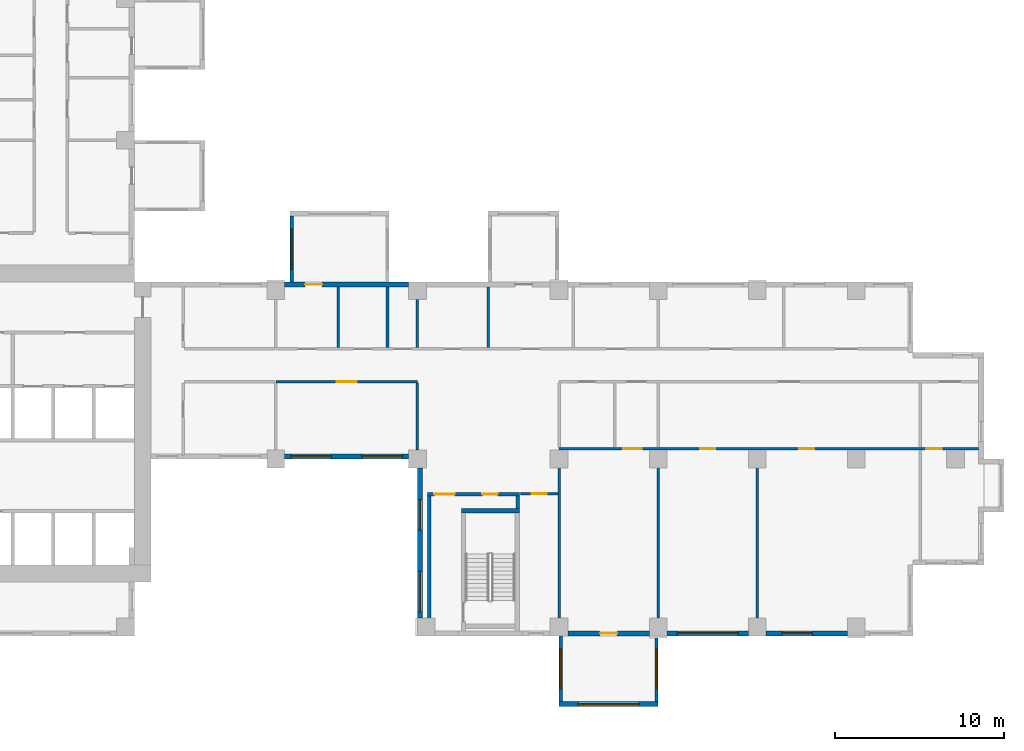
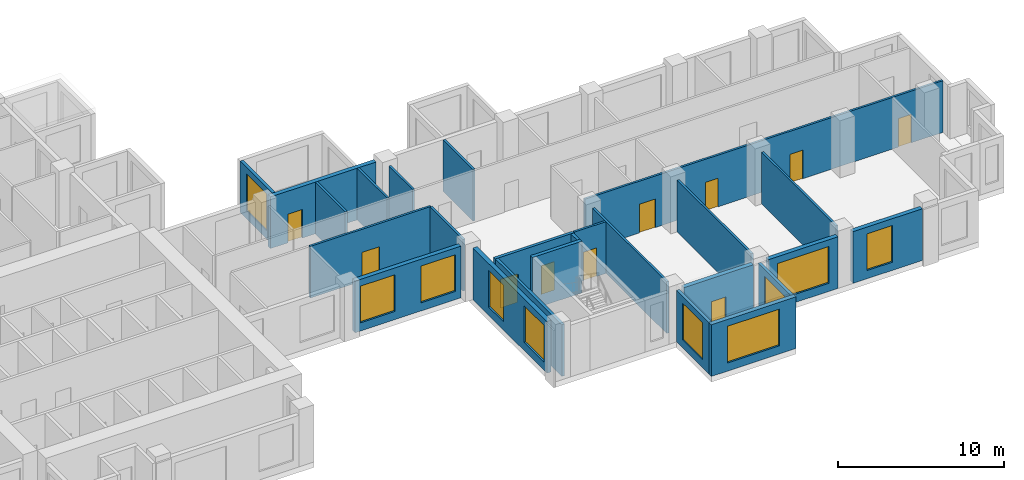
# One storey, part 4 of 14: 25 walls, 10 doors, 10 windows, 20 openings.
"""IFC4 building model written with IfcOpenShell, lengths in metres."""

from ifc_helpers import new_model, si_unit, direction, frame, frame_2d, origin, place, context, subcontext, project, spatial, rectangle, extrude, source, transform, mapped, material, layer, layer_set, type_object, element, fill, save


model = new_model("IFC4")

# Units and contexts
model_context = context("Model", 3, precision=1e-05, world=origin(), true_north=direction((0.0, 1.0)))
body_context = subcontext(model_context, "Body", "Model", "MODEL_VIEW")
ifc_project = project(units=[si_unit("LENGTHUNIT", "METRE"), si_unit("AREAUNIT", "SQUARE_METRE"), si_unit("VOLUMEUNIT", "CUBIC_METRE"), si_unit("PLANEANGLEUNIT", "RADIAN"), si_unit("MASSUNIT", "GRAM", prefix="KILO")], contexts=[model_context])

# Site, building, storey
site_placement = place(None, origin())
site = spatial("IfcSite", under=ifc_project, at=site_placement, CompositionType="ELEMENT")
building_placement = place(site_placement, origin())
building = spatial("IfcBuilding", under=site, at=building_placement, Name="Aurelian Terraces", CompositionType="ELEMENT")
storey_placement = place(building_placement, frame((0.0, 0.0, 149.7)))
storey = spatial("IfcBuildingStorey", under=building, at=storey_placement, Name="L33", CompositionType="ELEMENT", Elevation=149.7)

# Wall, opening, window
ifc_material_1 = material(Name="Concrete fc' 40 MPa", Category="concrete")
ifc_layer_1 = layer(ifc_material_1, 0.2)
ifc_layer_set_1 = layer_set([ifc_layer_1], Name="BOX BEARING WALL 200")
wall_type_1 = type_object("IfcWallType", Name="BOX BEARING WALL 200", PredefinedType="SOLIDWALL", material=ifc_layer_set_1)
shared_shape_1 = source(origin(), body_context, "Body", "SweptSolid", [
    extrude(rectangle(XDim=3.9, YDim=0.2, at=frame_2d((1.95, 0.0))), origin(), (0.0, 0.0, 1.0), 3.79),
])
wall_1_placement = place(storey_placement, frame((30.34, 21.0, 0.0), z_axis=(0.0, 0.0, 1.0), x_axis=(0.0, 1.0, 0.0)))
wall_1 = element("IfcWall", 1, at=wall_1_placement, inside=storey, type_object=wall_type_1, Name="Box return L33 J47.2", PredefinedType="SOLIDWALL", context=body_context, shape_type="MappedRepresentation", body=[
    mapped(shared_shape_1, transform((0.0, 0.0, 0.0), scale=1.0)),
])
shared_shape_2 = source(origin(), body_context, "Body", "SweptSolid", [
    extrude(rectangle(XDim=2.4, YDim=2.7, at=frame_2d((1.2, 1.35))), frame((0.0, 0.11, 0.0), z_axis=(0.0, -1.0, 0.0), x_axis=(1.0, 0.0, 0.0)), (0.0, 0.0, 1.0), 0.22),
])
opening_1_placement = place(wall_1_placement, frame((0.75, 0.0, 0.6)))
opening_1 = element("IfcOpeningElement", 2, at=opening_1_placement, cuts=wall_1, Name="Opening W2427", PredefinedType="OPENING", context=body_context, shape_type="MappedRepresentation", body=[
    mapped(shared_shape_2, transform((0.0, 0.0, 0.0), scale=1.0)),
])
ifc_material_2 = material(Name="Clear glazing", Category="glass")
window_type_1 = type_object("IfcWindowType", Name="W-2400x2700", PartitioningType="SINGLE_PANEL", PredefinedType="WINDOW", material=ifc_material_2)
shared_shape_3 = source(origin(), body_context, "Body", "SweptSolid", [
    extrude(rectangle(XDim=2.4, YDim=2.7, at=frame_2d((1.2, 1.35))), frame((0.0, 0.03, 0.0), z_axis=(0.0, -1.0, 0.0), x_axis=(1.0, 0.0, 0.0)), (0.0, 0.0, 1.0), 0.06),
])
window_1_placement = place(opening_1_placement, origin())
window_1 = element("IfcWindow", 3, at=window_1_placement, inside=storey, type_object=window_type_1, Name="Window L33 J47-S2", OverallHeight=2.7, OverallWidth=2.4, PartitioningType="SINGLE_PANEL", PredefinedType="WINDOW", context=body_context, shape_type="MappedRepresentation", body=[
    mapped(shared_shape_3, transform((0.0, 0.0, 0.0), scale=1.0)),
])
fill(opening_1, window_1)

shared_shape_4 = source(origin(), body_context, "Body", "SweptSolid", [
    extrude(rectangle(XDim=3.9, YDim=0.2, at=frame_2d((1.95, 0.0))), origin(), (0.0, 0.0, 1.0), 3.8),
])
wall_2_placement = place(storey_placement, frame((46.3, 0.0, 0.0), z_axis=(0.0, 0.0, 1.0), x_axis=(0.0, -1.0, 0.0)))
wall_2 = element("IfcWall", 4, at=wall_2_placement, inside=storey, type_object=wall_type_1, Name="Box return L33 J45.1", PredefinedType="SOLIDWALL", context=body_context, shape_type="MappedRepresentation", body=[
    mapped(shared_shape_4, transform((0.0, 0.0, 0.0), scale=1.0)),
])
opening_2_placement = place(wall_2_placement, frame((0.75, 0.0, 0.6)))
opening_2 = element("IfcOpeningElement", 5, at=opening_2_placement, cuts=wall_2, Name="Opening W2427", PredefinedType="OPENING", context=body_context, shape_type="MappedRepresentation", body=[
    mapped(shared_shape_2, transform((0.0, 0.0, 0.0), scale=1.0)),
])
window_2_placement = place(opening_2_placement, origin())
window_2 = element("IfcWindow", 6, at=window_2_placement, inside=storey, type_object=window_type_1, Name="Window L33 J45-S1", OverallHeight=2.7, OverallWidth=2.4, PartitioningType="SINGLE_PANEL", PredefinedType="WINDOW", context=body_context, shape_type="MappedRepresentation", body=[
    mapped(shared_shape_3, transform((0.0, 0.0, 0.0), scale=1.0)),
])
fill(opening_2, window_2)

wall_3_placement = place(storey_placement, frame((51.98, 0.0, 0.0), z_axis=(0.0, 0.0, 1.0), x_axis=(0.0, -1.0, 0.0)))
wall_3 = element("IfcWall", 7, at=wall_3_placement, inside=storey, type_object=wall_type_1, Name="Box return L33 J45.2", PredefinedType="SOLIDWALL", context=body_context, shape_type="MappedRepresentation", body=[
    mapped(shared_shape_4, transform((0.0, 0.0, 0.0), scale=1.0)),
])
opening_3_placement = place(wall_3_placement, frame((0.75, 0.0, 0.6)))
opening_3 = element("IfcOpeningElement", 8, at=opening_3_placement, cuts=wall_3, Name="Opening W2427", PredefinedType="OPENING", context=body_context, shape_type="MappedRepresentation", body=[
    mapped(shared_shape_2, transform((0.0, 0.0, 0.0), scale=1.0)),
])
window_3_placement = place(opening_3_placement, origin())
window_3 = element("IfcWindow", 9, at=window_3_placement, inside=storey, type_object=window_type_1, Name="Window L33 J45-S2", OverallHeight=2.7, OverallWidth=2.4, PartitioningType="SINGLE_PANEL", PredefinedType="WINDOW", context=body_context, shape_type="MappedRepresentation", body=[
    mapped(shared_shape_3, transform((0.0, 0.0, 0.0), scale=1.0)),
])
fill(opening_3, window_3)

ifc_layer_2 = layer(ifc_material_1, 0.3)
ifc_layer_set_2 = layer_set([ifc_layer_2], Name="BOX BEARING WALL 300")
wall_type_2 = type_object("IfcWallType", Name="BOX BEARING WALL 300", PredefinedType="SOLIDWALL", material=ifc_layer_set_2)
shared_shape_5 = source(origin(), body_context, "Body", "SweptSolid", [
    extrude(rectangle(XDim=5.88, YDim=0.3, at=frame_2d((2.94, 0.0))), origin(), (0.0, 0.0, 1.0), 3.8),
])
wall_4_placement = place(storey_placement, frame((46.2, -4.05, 0.0), z_axis=(0.0, 0.0, 1.0), x_axis=(1.0, 0.0, 0.0)))
wall_4 = element("IfcWall", 10, at=wall_4_placement, inside=storey, type_object=wall_type_2, Name="Box wall L33 J45", PredefinedType="SOLIDWALL", context=body_context, shape_type="MappedRepresentation", body=[
    mapped(shared_shape_5, transform((0.0, 0.0, 0.0), scale=1.0)),
])
shared_shape_6 = source(origin(), body_context, "Body", "SweptSolid", [
    extrude(rectangle(XDim=3.6, YDim=2.7, at=frame_2d((1.8, 1.35))), frame((0.0, 0.16, 0.0), z_axis=(0.0, -1.0, 0.0), x_axis=(1.0, 0.0, 0.0)), (0.0, 0.0, 1.0), 0.32),
])
opening_4_placement = place(wall_4_placement, frame((1.14, 0.0, 0.6)))
opening_4 = element("IfcOpeningElement", 11, at=opening_4_placement, cuts=wall_4, Name="Opening W3627", PredefinedType="OPENING", context=body_context, shape_type="MappedRepresentation", body=[
    mapped(shared_shape_6, transform((0.0, 0.0, 0.0), scale=1.0)),
])
window_type_2 = type_object("IfcWindowType", Name="W-3600x2700", PartitioningType="SINGLE_PANEL", PredefinedType="WINDOW", material=ifc_material_2)
shared_shape_7 = source(origin(), body_context, "Body", "SweptSolid", [
    extrude(rectangle(XDim=3.6, YDim=2.7, at=frame_2d((1.8, 1.35))), frame((0.0, 0.03, 0.0), z_axis=(0.0, -1.0, 0.0), x_axis=(1.0, 0.0, 0.0)), (0.0, 0.0, 1.0), 0.06),
])
window_4_placement = place(opening_4_placement, origin())
window_4 = element("IfcWindow", 12, at=window_4_placement, inside=storey, type_object=window_type_2, Name="Window L33 J45-F1", OverallHeight=2.7, OverallWidth=3.6, PartitioningType="SINGLE_PANEL", PredefinedType="WINDOW", context=body_context, shape_type="MappedRepresentation", body=[
    mapped(shared_shape_7, transform((0.0, 0.0, 0.0), scale=1.0)),
])
fill(opening_4, window_4)

# Wall, openings, windows
ifc_material_3 = material(Name="Terracotta rainscreen cladding", Category="masonry")
ifc_layer_3 = layer(ifc_material_3, 0.3)
ifc_layer_set_3 = layer_set([ifc_layer_3], Name="EW-300")
wall_type_3 = type_object("IfcWallType", Name="EW-300", PredefinedType="STANDARD", material=ifc_layer_set_3)
shared_shape_8 = source(origin(), body_context, "Body", "SweptSolid", [
    extrude(rectangle(XDim=7.35, YDim=0.3, at=frame_2d((3.675, 0.0))), origin(), (0.0, 0.0, 1.0), 3.8),
])
wall_5_placement = place(storey_placement, frame((29.925, 10.65, 0.0), z_axis=(0.0, 0.0, 1.0), x_axis=(1.0, 0.0, 0.0)))
wall_5 = element("IfcWall", 13, at=wall_5_placement, inside=storey, type_object=wall_type_3, Name="External wall L33 F03.7", PredefinedType="STANDARD", context=body_context, shape_type="MappedRepresentation", body=[
    mapped(shared_shape_8, transform((0.0, 0.0, 0.0), scale=1.0)),
])
shared_shape_9 = source(origin(), body_context, "Body", "SweptSolid", [
    extrude(rectangle(XDim=2.4, YDim=2.7, at=frame_2d((1.2, 1.35))), frame((0.0, 0.16, 0.0), z_axis=(0.0, -1.0, 0.0), x_axis=(1.0, 0.0, 0.0)), (0.0, 0.0, 1.0), 0.32),
])
opening_5_placement = place(wall_5_placement, frame((0.375, 0.0, 0.6)))
opening_5 = element("IfcOpeningElement", 14, at=opening_5_placement, cuts=wall_5, Name="Opening W2427", PredefinedType="OPENING", context=body_context, shape_type="MappedRepresentation", body=[
    mapped(shared_shape_9, transform((0.0, 0.0, 0.0), scale=1.0)),
])
opening_6_placement = place(wall_5_placement, frame((4.575, 0.0, 0.6)))
opening_6 = element("IfcOpeningElement", 15, at=opening_6_placement, cuts=wall_5, Name="Opening W2427", PredefinedType="OPENING", context=body_context, shape_type="MappedRepresentation", body=[
    mapped(shared_shape_9, transform((0.0, 0.0, 0.0), scale=1.0)),
])
window_5_placement = place(opening_5_placement, origin())
window_5 = element("IfcWindow", 16, at=window_5_placement, inside=storey, type_object=window_type_1, Name="Window L33 L33-F03-07-0", OverallHeight=2.7, OverallWidth=2.4, PartitioningType="SINGLE_PANEL", PredefinedType="WINDOW", context=body_context, shape_type="MappedRepresentation", body=[
    mapped(shared_shape_3, transform((0.0, 0.0, 0.0), scale=1.0)),
])
fill(opening_5, window_5)
window_6_placement = place(opening_6_placement, origin())
window_6 = element("IfcWindow", 17, at=window_6_placement, inside=storey, type_object=window_type_1, Name="Window L33 L33-F03-07-1", OverallHeight=2.7, OverallWidth=2.4, PartitioningType="SINGLE_PANEL", PredefinedType="WINDOW", context=body_context, shape_type="MappedRepresentation", body=[
    mapped(shared_shape_3, transform((0.0, 0.0, 0.0), scale=1.0)),
])
fill(opening_6, window_6)

# Wall, opening, door
wall_6_placement = place(storey_placement, frame((37.275, 20.85, 0.0), z_axis=(0.0, 0.0, 1.0), x_axis=(-1.0, 0.0, 0.0)))
wall_6 = element("IfcWall", 18, at=wall_6_placement, inside=storey, type_object=wall_type_3, Name="External wall L33 F11.23", PredefinedType="STANDARD", context=body_context, shape_type="MappedRepresentation", body=[
    mapped(shared_shape_8, transform((0.0, 0.0, 0.0), scale=1.0)),
])
shared_shape_10 = source(origin(), body_context, "Body", "SweptSolid", [
    extrude(rectangle(XDim=1.0, YDim=2.1, at=frame_2d((0.5, 1.05))), frame((0.0, 0.16, 0.0), z_axis=(0.0, -1.0, 0.0), x_axis=(1.0, 0.0, 0.0)), (0.0, 0.0, 1.0), 0.32),
])
opening_7_placement = place(wall_6_placement, frame((5.135, 0.0, 0.0)))
opening_7 = element("IfcOpeningElement", 19, at=opening_7_placement, cuts=wall_6, Name="Opening 833003", PredefinedType="OPENING", context=body_context, shape_type="MappedRepresentation", body=[
    mapped(shared_shape_10, transform((0.0, 0.0, 0.0), scale=1.0)),
])
ifc_material_4 = material(Name="Timber door leaf", Category="wood")
door_type_1 = type_object("IfcDoorType", Name="Room door 1000x2100 left", OperationType="SINGLE_SWING_LEFT", PredefinedType="DOOR", material=ifc_material_4)
shared_shape_11 = source(origin(), body_context, "Body", "SweptSolid", [
    extrude(rectangle(XDim=1.0, YDim=2.1, at=frame_2d((0.5, 1.05))), frame((0.0, 0.025, 0.0), z_axis=(0.0, -1.0, 0.0), x_axis=(1.0, 0.0, 0.0)), (0.0, 0.0, 1.0), 0.05),
])
door_1_placement = place(opening_7_placement, origin())
door_1 = element("IfcDoor", 20, at=door_1_placement, inside=storey, type_object=door_type_1, Name="Door 833003", OperationType="SINGLE_SWING_LEFT", OverallHeight=2.1, OverallWidth=1.0, PredefinedType="DOOR", context=body_context, shape_type="MappedRepresentation", body=[
    mapped(shared_shape_11, transform((0.0, 0.0, 0.0), scale=1.0)),
])
fill(opening_7, door_1)

# Wall, openings, windows
shared_shape_12 = source(origin(), body_context, "Body", "SweptSolid", [
    extrude(rectangle(XDim=8.925, YDim=0.3, at=frame_2d((4.4625, 0.0))), origin(), (0.0, 0.0, 1.0), 3.8),
])
wall_7_placement = place(storey_placement, frame((37.95, 9.975, 0.0), z_axis=(0.0, 0.0, 1.0), x_axis=(0.0, -1.0, 0.0)))
wall_7 = element("IfcWall", 21, at=wall_7_placement, inside=storey, type_object=wall_type_3, Name="External wall L33 F04.8", PredefinedType="STANDARD", context=body_context, shape_type="MappedRepresentation", body=[
    mapped(shared_shape_12, transform((0.0, 0.0, 0.0), scale=1.0)),
])
shared_shape_13 = source(origin(), body_context, "Body", "SweptSolid", [
    extrude(rectangle(XDim=1.8, YDim=2.7, at=frame_2d((0.9, 1.35))), frame((0.0, 0.16, 0.0), z_axis=(0.0, -1.0, 0.0), x_axis=(1.0, 0.0, 0.0)), (0.0, 0.0, 1.0), 0.32),
])
opening_8_placement = place(wall_7_placement, frame((1.8875, 0.0, 0.6)))
opening_8 = element("IfcOpeningElement", 22, at=opening_8_placement, cuts=wall_7, Name="Opening W1827", PredefinedType="OPENING", context=body_context, shape_type="MappedRepresentation", body=[
    mapped(shared_shape_13, transform((0.0, 0.0, 0.0), scale=1.0)),
])
opening_9_placement = place(wall_7_placement, frame((6.15, 0.0, 0.6)))
opening_9 = element("IfcOpeningElement", 23, at=opening_9_placement, cuts=wall_7, Name="Opening W2427", PredefinedType="OPENING", context=body_context, shape_type="MappedRepresentation", body=[
    mapped(shared_shape_9, transform((0.0, 0.0, 0.0), scale=1.0)),
])
window_7_placement = place(opening_9_placement, origin())
window_7 = element("IfcWindow", 24, at=window_7_placement, inside=storey, type_object=window_type_1, Name="Window L33 L33-F04-08-1", OverallHeight=2.7, OverallWidth=2.4, PartitioningType="SINGLE_PANEL", PredefinedType="WINDOW", context=body_context, shape_type="MappedRepresentation", body=[
    mapped(shared_shape_3, transform((0.0, 0.0, 0.0), scale=1.0)),
])
fill(opening_9, window_7)
window_type_3 = type_object("IfcWindowType", Name="W-1800x2700", PartitioningType="SINGLE_PANEL", PredefinedType="WINDOW", material=ifc_material_2)
shared_shape_14 = source(origin(), body_context, "Body", "SweptSolid", [
    extrude(rectangle(XDim=1.8, YDim=2.7, at=frame_2d((0.9, 1.35))), frame((0.0, 0.03, 0.0), z_axis=(0.0, -1.0, 0.0), x_axis=(1.0, 0.0, 0.0)), (0.0, 0.0, 1.0), 0.06),
])
window_8_placement = place(opening_8_placement, origin())
window_8 = element("IfcWindow", 25, at=window_8_placement, inside=storey, type_object=window_type_3, Name="Window L33 L33-F04-08-0", OverallHeight=2.7, OverallWidth=1.8, PartitioningType="SINGLE_PANEL", PredefinedType="WINDOW", context=body_context, shape_type="MappedRepresentation", body=[
    mapped(shared_shape_14, transform((0.0, 0.0, 0.0), scale=1.0)),
])
fill(opening_8, window_8)

# Wall, opening, door
shared_shape_15 = source(origin(), body_context, "Body", "SweptSolid", [
    extrude(rectangle(XDim=4.83, YDim=0.3, at=frame_2d((2.415, 0.0))), origin(), (0.0, 0.0, 1.0), 3.8),
])
wall_8_placement = place(storey_placement, frame((46.725, 0.15, 0.0), z_axis=(0.0, 0.0, 1.0), x_axis=(1.0, 0.0, 0.0)))
wall_8 = element("IfcWall", 26, at=wall_8_placement, inside=storey, type_object=wall_type_3, Name="External wall L33 F05.10", PredefinedType="STANDARD", context=body_context, shape_type="MappedRepresentation", body=[
    mapped(shared_shape_15, transform((0.0, 0.0, 0.0), scale=1.0)),
])
opening_10_placement = place(wall_8_placement, frame((1.915, 0.0, 0.0)))
opening_10 = element("IfcOpeningElement", 27, at=opening_10_placement, cuts=wall_8, Name="Opening 833001", PredefinedType="OPENING", context=body_context, shape_type="MappedRepresentation", body=[
    mapped(shared_shape_10, transform((0.0, 0.0, 0.0), scale=1.0)),
])
door_2_placement = place(opening_10_placement, origin())
door_2 = element("IfcDoor", 28, at=door_2_placement, inside=storey, type_object=door_type_1, Name="Door 833001", OperationType="SINGLE_SWING_LEFT", OverallHeight=2.1, OverallWidth=1.0, PredefinedType="DOOR", context=body_context, shape_type="MappedRepresentation", body=[
    mapped(shared_shape_11, transform((0.0, 0.0, 0.0), scale=1.0)),
])
fill(opening_10, door_2)

# Wall, opening, window
wall_9_placement = place(storey_placement, frame((52.605, 0.15, 0.0), z_axis=(0.0, 0.0, 1.0), x_axis=(1.0, 0.0, 0.0)))
wall_9 = element("IfcWall", 29, at=wall_9_placement, inside=storey, type_object=wall_type_3, Name="External wall L33 F05.11", PredefinedType="STANDARD", context=body_context, shape_type="MappedRepresentation", body=[
    mapped(shared_shape_15, transform((0.0, 0.0, 0.0), scale=1.0)),
])
opening_11_placement = place(wall_9_placement, frame((0.615, 0.0, 0.6)))
opening_11 = element("IfcOpeningElement", 30, at=opening_11_placement, cuts=wall_9, Name="Opening W3627", PredefinedType="OPENING", context=body_context, shape_type="MappedRepresentation", body=[
    mapped(shared_shape_6, transform((0.0, 0.0, 0.0), scale=1.0)),
])
window_9_placement = place(opening_11_placement, origin())
window_9 = element("IfcWindow", 31, at=window_9_placement, inside=storey, type_object=window_type_2, Name="Window L33 L33-F05-11-0", OverallHeight=2.7, OverallWidth=3.6, PartitioningType="SINGLE_PANEL", PredefinedType="WINDOW", context=body_context, shape_type="MappedRepresentation", body=[
    mapped(shared_shape_7, transform((0.0, 0.0, 0.0), scale=1.0)),
])
fill(opening_11, window_9)

wall_10_placement = place(storey_placement, frame((58.485, 0.15, 0.0), z_axis=(0.0, 0.0, 1.0), x_axis=(1.0, 0.0, 0.0)))
wall_10 = element("IfcWall", 32, at=wall_10_placement, inside=storey, type_object=wall_type_3, Name="External wall L33 F05.12", PredefinedType="STANDARD", context=body_context, shape_type="MappedRepresentation", body=[
    mapped(shared_shape_15, transform((0.0, 0.0, 0.0), scale=1.0)),
])
opening_12_placement = place(wall_10_placement, frame((0.9525, 0.0, 0.6)))
opening_12 = element("IfcOpeningElement", 33, at=opening_12_placement, cuts=wall_10, Name="Opening W1827", PredefinedType="OPENING", context=body_context, shape_type="MappedRepresentation", body=[
    mapped(shared_shape_13, transform((0.0, 0.0, 0.0), scale=1.0)),
])
window_10_placement = place(opening_12_placement, origin())
window_10 = element("IfcWindow", 34, at=window_10_placement, inside=storey, type_object=window_type_3, Name="Window L33 L33-F05-12-0", OverallHeight=2.7, OverallWidth=1.8, PartitioningType="SINGLE_PANEL", PredefinedType="WINDOW", context=body_context, shape_type="MappedRepresentation", body=[
    mapped(shared_shape_14, transform((0.0, 0.0, 0.0), scale=1.0)),
])
fill(opening_12, window_10)

# Walls
ifc_layer_4 = layer(ifc_material_1, 0.25)
ifc_layer_set_4 = layer_set([ifc_layer_4], Name="Stair enclosure wall 250")
wall_type_4 = type_object("IfcWallType", Name="Stair enclosure wall 250", PredefinedType="SOLIDWALL", material=ifc_layer_set_4)
shared_shape_16 = source(origin(), body_context, "Body", "SweptSolid", [
    extrude(rectangle(XDim=3.45, YDim=0.25, at=frame_2d((1.725, 0.0))), origin(), (0.0, 0.0, 1.0), 3.8),
])
wall_11_placement = place(storey_placement, frame((40.4, 7.425, 0.0), z_axis=(0.0, 0.0, 1.0), x_axis=(1.0, 0.0, 0.0)))
element("IfcWall", 35, at=wall_11_placement, inside=storey, type_object=wall_type_4, Name="L33 core wall ST-S2-N", PredefinedType="SOLIDWALL", context=body_context, shape_type="MappedRepresentation", body=[
    mapped(shared_shape_16, transform((0.0, 0.0, 0.0), scale=1.0)),
])
ifc_material_5 = material(Name="Gypsum board on steel studs", Category="steel")
ifc_layer_5 = layer(ifc_material_5, 0.2)
ifc_layer_set_5 = layer_set([ifc_layer_5], Name="Core partition 200")
wall_type_5 = type_object("IfcWallType", Name="Core partition 200", PredefinedType="PARTITIONING", material=ifc_layer_set_5)
shared_shape_17 = source(origin(), body_context, "Body", "SweptSolid", [
    extrude(rectangle(XDim=8.0, YDim=0.2, at=frame_2d((4.0, 0.0))), origin(), (0.0, 0.0, 1.0), 3.8),
])
wall_12_placement = place(storey_placement, frame((38.5, 0.3, 0.0), z_axis=(0.0, 0.0, 1.0), x_axis=(0.0, 1.0, 0.0)))
element("IfcWall", 36, at=wall_12_placement, inside=storey, type_object=wall_type_5, Name="L33 core wall ST-S2-VW", PredefinedType="PARTITIONING", context=body_context, shape_type="MappedRepresentation", body=[
    mapped(shared_shape_17, transform((0.0, 0.0, 0.0), scale=1.0)),
])

# Wall, openings, doors
shared_shape_18 = source(origin(), body_context, "Body", "SweptSolid", [
    extrude(rectangle(XDim=5.45, YDim=0.2, at=frame_2d((2.725, 0.0))), origin(), (0.0, 0.0, 1.0), 3.8),
])
wall_13_placement = place(storey_placement, frame((38.4, 8.4, 0.0), z_axis=(0.0, 0.0, 1.0), x_axis=(1.0, 0.0, 0.0)))
wall_13 = element("IfcWall", 37, at=wall_13_placement, inside=storey, type_object=wall_type_5, Name="L33 core wall ST-S2-BN", PredefinedType="PARTITIONING", context=body_context, shape_type="MappedRepresentation", body=[
    mapped(shared_shape_18, transform((0.0, 0.0, 0.0), scale=1.0)),
])
shared_shape_19 = source(origin(), body_context, "Body", "SweptSolid", [
    extrude(rectangle(XDim=1.2, YDim=2.1, at=frame_2d((0.6, 1.05))), frame((0.0, 0.11, 0.0), z_axis=(0.0, -1.0, 0.0), x_axis=(1.0, 0.0, 0.0)), (0.0, 0.0, 1.0), 0.22),
])
opening_13_placement = place(wall_13_placement, frame((0.4, 0.0, 0.0)))
opening_13 = element("IfcOpeningElement", 38, at=opening_13_placement, cuts=wall_13, Name="Opening 63615", PredefinedType="OPENING", context=body_context, shape_type="MappedRepresentation", body=[
    mapped(shared_shape_19, transform((0.0, 0.0, 0.0), scale=1.0)),
])
shared_shape_20 = source(origin(), body_context, "Body", "SweptSolid", [
    extrude(rectangle(XDim=0.9, YDim=2.1, at=frame_2d((0.45, 1.05))), frame((0.0, 0.11, 0.0), z_axis=(0.0, -1.0, 0.0), x_axis=(1.0, 0.0, 0.0)), (0.0, 0.0, 1.0), 0.22),
])
opening_14_placement = place(wall_13_placement, frame((3.25, 0.0, 0.0)))
opening_14 = element("IfcOpeningElement", 39, at=opening_14_placement, cuts=wall_13, Name="Opening 63616", PredefinedType="OPENING", context=body_context, shape_type="MappedRepresentation", body=[
    mapped(shared_shape_20, transform((0.0, 0.0, 0.0), scale=1.0)),
])
ifc_material_6 = material(Name="Steel door leaf", Category="steel")
door_type_2 = type_object("IfcDoorType", Name="Core riser door 900x2100", OperationType="SINGLE_SWING_LEFT", PredefinedType="DOOR", material=ifc_material_6)
shared_shape_21 = source(origin(), body_context, "Body", "SweptSolid", [
    extrude(rectangle(XDim=0.9, YDim=2.1, at=frame_2d((0.45, 1.05))), frame((0.0, 0.025, 0.0), z_axis=(0.0, -1.0, 0.0), x_axis=(1.0, 0.0, 0.0)), (0.0, 0.0, 1.0), 0.05),
])
door_3_placement = place(opening_14_placement, origin())
door_3 = element("IfcDoor", 40, at=door_3_placement, inside=storey, type_object=door_type_2, Name="Riser door 63616", OperationType="SINGLE_SWING_LEFT", OverallHeight=2.1, OverallWidth=0.9, PredefinedType="DOOR", context=body_context, shape_type="MappedRepresentation", body=[
    mapped(shared_shape_21, transform((0.0, 0.0, 0.0), scale=1.0)),
])
fill(opening_14, door_3)
door_type_3 = type_object("IfcDoorType", Name="Core fire door 1200x2100 right", OperationType="SINGLE_SWING_RIGHT", PredefinedType="DOOR", material=ifc_material_6)
shared_shape_22 = source(origin(), body_context, "Body", "SweptSolid", [
    extrude(rectangle(XDim=1.2, YDim=2.1, at=frame_2d((0.6, 1.05))), frame((0.0, 0.025, 0.0), z_axis=(0.0, -1.0, 0.0), x_axis=(1.0, 0.0, 0.0)), (0.0, 0.0, 1.0), 0.05),
])
door_4_placement = place(opening_13_placement, origin())
door_4 = element("IfcDoor", 41, at=door_4_placement, inside=storey, type_object=door_type_3, Name="Vestibule door 63615", OperationType="SINGLE_SWING_RIGHT", OverallHeight=2.1, OverallWidth=1.2, PredefinedType="DOOR", context=body_context, shape_type="MappedRepresentation", body=[
    mapped(shared_shape_22, transform((0.0, 0.0, 0.0), scale=1.0)),
])
fill(opening_13, door_4)

# Walls
shared_shape_23 = source(origin(), body_context, "Body", "SweptSolid", [
    extrude(rectangle(XDim=0.75, YDim=0.2, at=frame_2d((0.375, 0.0))), origin(), (0.0, 0.0, 1.0), 3.8),
])
wall_14_placement = place(storey_placement, frame((43.75, 7.55, 0.0), z_axis=(0.0, 0.0, 1.0), x_axis=(0.0, 1.0, 0.0)))
element("IfcWall", 42, at=wall_14_placement, inside=storey, type_object=wall_type_5, Name="L33 core wall ST-S2-RE", PredefinedType="PARTITIONING", context=body_context, shape_type="MappedRepresentation", body=[
    mapped(shared_shape_23, transform((0.0, 0.0, 0.0), scale=1.0)),
])
ifc_layer_6 = layer(ifc_material_5, 0.15)
ifc_layer_set_6 = layer_set([ifc_layer_6], Name="Partition 150")
wall_type_6 = type_object("IfcWallType", Name="Partition 150", PredefinedType="PARTITIONING", material=ifc_layer_set_6)
shared_shape_24 = source(origin(), body_context, "Body", "SweptSolid", [
    extrude(rectangle(XDim=3.6, YDim=0.15, at=frame_2d((1.8, 0.0))), origin(), (0.0, 0.0, 1.0), 3.8),
])
for number, where, z_axis, x_axis, name in (
    (43, (33.1133, 20.7, 0.0), (0.0, 0.0, 1.0), (0.0, -1.0, 0.0), "Partition"),
    (44, (36.024, 20.7, 0.0), (0.0, 0.0, 1.0), (0.0, -1.0, 0.0), "Partition"),
    (45, (42.0, 17.1, 0.0), (0.0, 0.0, 1.0), (0.0, 1.0, 0.0), "Partition"),
):
    element("IfcWall", number, at=place(storey_placement, frame(where, z_axis=z_axis, x_axis=x_axis)), inside=storey, type_object=wall_type_6, Name=name, PredefinedType="PARTITIONING", context=body_context, shape_type="MappedRepresentation", body=[
        mapped(shared_shape_24, transform((0.0, 0.0, 0.0), scale=1.0)),
    ])

# Wall, opening, door
ifc_layer_7 = layer(ifc_material_5, 0.15)
ifc_layer_set_7 = layer_set([ifc_layer_7], Name="Fire partition 150")
wall_type_7 = type_object("IfcWallType", Name="Fire partition 150", PredefinedType="PARTITIONING", material=ifc_layer_set_7)
shared_shape_25 = source(origin(), body_context, "Body", "SweptSolid", [
    extrude(rectangle(XDim=8.4, YDim=0.15, at=frame_2d((4.2, 0.0))), origin(), (0.0, 0.0, 1.0), 3.8),
])
wall_15_placement = place(storey_placement, frame((37.8, 15.075, 0.0), z_axis=(0.0, 0.0, 1.0), x_axis=(-1.0, 0.0, 0.0)))
wall_15 = element("IfcWall", 46, at=wall_15_placement, inside=storey, type_object=wall_type_7, Name="Corridor wall", PredefinedType="PARTITIONING", context=body_context, shape_type="MappedRepresentation", body=[
    mapped(shared_shape_25, transform((0.0, 0.0, 0.0), scale=1.0)),
])
shared_shape_26 = source(origin(), body_context, "Body", "SweptSolid", [
    extrude(rectangle(XDim=1.2, YDim=2.1, at=frame_2d((0.6, 1.05))), frame((0.0, 0.085, 0.0), z_axis=(0.0, -1.0, 0.0), x_axis=(1.0, 0.0, 0.0)), (0.0, 0.0, 1.0), 0.17),
])
opening_15_placement = place(wall_15_placement, frame((3.6, 0.0, 0.0)))
opening_15 = element("IfcOpeningElement", 47, at=opening_15_placement, cuts=wall_15, Name="Opening 733004", PredefinedType="OPENING", context=body_context, shape_type="MappedRepresentation", body=[
    mapped(shared_shape_26, transform((0.0, 0.0, 0.0), scale=1.0)),
])
door_type_4 = type_object("IfcDoorType", Name="Room door 1200x2100 right", OperationType="SINGLE_SWING_RIGHT", PredefinedType="DOOR", material=ifc_material_4)
door_5_placement = place(opening_15_placement, origin())
door_5 = element("IfcDoor", 48, at=door_5_placement, inside=storey, type_object=door_type_4, Name="Door 733004", OperationType="SINGLE_SWING_RIGHT", OverallHeight=2.1, OverallWidth=1.2, PredefinedType="DOOR", context=body_context, shape_type="MappedRepresentation", body=[
    mapped(shared_shape_22, transform((0.0, 0.0, 0.0), scale=1.0)),
])
fill(opening_15, door_5)

# Wall, openings, doors
shared_shape_27 = source(origin(), body_context, "Body", "SweptSolid", [
    extrude(rectangle(XDim=24.9, YDim=0.15, at=frame_2d((12.45, 0.0))), origin(), (0.0, 0.0, 1.0), 3.8),
])
wall_16_placement = place(storey_placement, frame((71.1, 11.1, 0.0), z_axis=(0.0, 0.0, 1.0), x_axis=(-1.0, 0.0, 0.0)))
wall_16 = element("IfcWall", 49, at=wall_16_placement, inside=storey, type_object=wall_type_6, Name="Partition", PredefinedType="PARTITIONING", context=body_context, shape_type="MappedRepresentation", body=[
    mapped(shared_shape_27, transform((0.0, 0.0, 0.0), scale=1.0)),
])
shared_shape_28 = source(origin(), body_context, "Body", "SweptSolid", [
    extrude(rectangle(XDim=1.1, YDim=2.1, at=frame_2d((0.55, 1.05))), frame((0.0, 0.085, 0.0), z_axis=(0.0, -1.0, 0.0), x_axis=(1.0, 0.0, 0.0)), (0.0, 0.0, 1.0), 0.17),
])
opening_16_placement = place(wall_16_placement, frame((19.9884, 0.0, 0.0)))
opening_16 = element("IfcOpeningElement", 50, at=opening_16_placement, cuts=wall_16, Name="Opening 733006", PredefinedType="OPENING", context=body_context, shape_type="MappedRepresentation", body=[
    mapped(shared_shape_28, transform((0.0, 0.0, 0.0), scale=1.0)),
])
shared_shape_29 = source(origin(), body_context, "Body", "SweptSolid", [
    extrude(rectangle(XDim=0.9, YDim=2.1, at=frame_2d((0.45, 1.05))), frame((0.0, 0.085, 0.0), z_axis=(0.0, -1.0, 0.0), x_axis=(1.0, 0.0, 0.0)), (0.0, 0.0, 1.0), 0.17),
])
opening_17_placement = place(wall_16_placement, frame((15.63, 0.0, 0.0)))
opening_17 = element("IfcOpeningElement", 51, at=opening_17_placement, cuts=wall_16, Name="Opening 733009", PredefinedType="OPENING", context=body_context, shape_type="MappedRepresentation", body=[
    mapped(shared_shape_29, transform((0.0, 0.0, 0.0), scale=1.0)),
])
opening_18_placement = place(wall_16_placement, frame((9.75, 0.0, 0.0)))
opening_18 = element("IfcOpeningElement", 52, at=opening_18_placement, cuts=wall_16, Name="Opening 733010", PredefinedType="OPENING", context=body_context, shape_type="MappedRepresentation", body=[
    mapped(shared_shape_29, transform((0.0, 0.0, 0.0), scale=1.0)),
])
opening_19_placement = place(wall_16_placement, frame((2.205, 0.0, 0.0)))
opening_19 = element("IfcOpeningElement", 53, at=opening_19_placement, cuts=wall_16, Name="Opening 733012", PredefinedType="OPENING", context=body_context, shape_type="MappedRepresentation", body=[
    mapped(shared_shape_29, transform((0.0, 0.0, 0.0), scale=1.0)),
])
door_type_5 = type_object("IfcDoorType", Name="Room door 900x2100 left", OperationType="SINGLE_SWING_LEFT", PredefinedType="DOOR", material=ifc_material_4)
door_6_placement = place(opening_17_placement, origin())
door_6 = element("IfcDoor", 54, at=door_6_placement, inside=storey, type_object=door_type_5, Name="Door 733009", OperationType="SINGLE_SWING_LEFT", OverallHeight=2.1, OverallWidth=0.9, PredefinedType="DOOR", context=body_context, shape_type="MappedRepresentation", body=[
    mapped(shared_shape_21, transform((0.0, 0.0, 0.0), scale=1.0)),
])
fill(opening_17, door_6)
door_type_6 = type_object("IfcDoorType", Name="Room door 900x2100 right", OperationType="SINGLE_SWING_RIGHT", PredefinedType="DOOR", material=ifc_material_4)
door_7_placement = place(opening_18_placement, origin())
door_7 = element("IfcDoor", 55, at=door_7_placement, inside=storey, type_object=door_type_6, Name="Door 733010", OperationType="SINGLE_SWING_RIGHT", OverallHeight=2.1, OverallWidth=0.9, PredefinedType="DOOR", context=body_context, shape_type="MappedRepresentation", body=[
    mapped(shared_shape_21, transform((0.0, 0.0, 0.0), scale=1.0)),
])
fill(opening_18, door_7)
door_8_placement = place(opening_19_placement, origin())
door_8 = element("IfcDoor", 56, at=door_8_placement, inside=storey, type_object=door_type_5, Name="Door 733012", OperationType="SINGLE_SWING_LEFT", OverallHeight=2.1, OverallWidth=0.9, PredefinedType="DOOR", context=body_context, shape_type="MappedRepresentation", body=[
    mapped(shared_shape_21, transform((0.0, 0.0, 0.0), scale=1.0)),
])
fill(opening_19, door_8)
door_type_7 = type_object("IfcDoorType", Name="Room door 1100x2100 left", OperationType="SINGLE_SWING_LEFT", PredefinedType="DOOR", material=ifc_material_4)
shared_shape_30 = source(origin(), body_context, "Body", "SweptSolid", [
    extrude(rectangle(XDim=1.1, YDim=2.1, at=frame_2d((0.55, 1.05))), frame((0.0, 0.025, 0.0), z_axis=(0.0, -1.0, 0.0), x_axis=(1.0, 0.0, 0.0)), (0.0, 0.0, 1.0), 0.05),
])
door_9_placement = place(opening_16_placement, origin())
door_9 = element("IfcDoor", 57, at=door_9_placement, inside=storey, type_object=door_type_7, Name="Door 733006", OperationType="SINGLE_SWING_LEFT", OverallHeight=2.1, OverallWidth=1.1, PredefinedType="DOOR", context=body_context, shape_type="MappedRepresentation", body=[
    mapped(shared_shape_30, transform((0.0, 0.0, 0.0), scale=1.0)),
])
fill(opening_16, door_9)

# Wall, opening, door
shared_shape_31 = source(origin(), body_context, "Body", "SweptSolid", [
    extrude(rectangle(XDim=2.2, YDim=0.15, at=frame_2d((1.1, 0.0))), origin(), (0.0, 0.0, 1.0), 3.8),
])
wall_17_placement = place(storey_placement, frame((46.125, 8.425, 0.0), z_axis=(0.0, 0.0, 1.0), x_axis=(-1.0, 0.0, 0.0)))
wall_17 = element("IfcWall", 58, at=wall_17_placement, inside=storey, type_object=wall_type_6, Name="Partition", PredefinedType="PARTITIONING", context=body_context, shape_type="MappedRepresentation", body=[
    mapped(shared_shape_31, transform((0.0, 0.0, 0.0), scale=1.0)),
])
opening_20_placement = place(wall_17_placement, frame((0.65, 0.0, 0.0)))
opening_20 = element("IfcOpeningElement", 59, at=opening_20_placement, cuts=wall_17, Name="Opening 733003", PredefinedType="OPENING", context=body_context, shape_type="MappedRepresentation", body=[
    mapped(shared_shape_29, transform((0.0, 0.0, 0.0), scale=1.0)),
])
door_10_placement = place(opening_20_placement, origin())
door_10 = element("IfcDoor", 60, at=door_10_placement, inside=storey, type_object=door_type_5, Name="Door 733003", OperationType="SINGLE_SWING_LEFT", OverallHeight=2.1, OverallWidth=0.9, PredefinedType="DOOR", context=body_context, shape_type="MappedRepresentation", body=[
    mapped(shared_shape_21, transform((0.0, 0.0, 0.0), scale=1.0)),
])
fill(opening_20, door_10)

# Walls
shared_shape_32 = source(origin(), body_context, "Body", "SweptSolid", [
    extrude(rectangle(XDim=3.976, YDim=0.15, at=frame_2d((1.988, 0.0))), origin(), (0.0, 0.0, 1.0), 3.8),
])
wall_18_placement = place(storey_placement, frame((37.8, 11.024, 0.0), z_axis=(0.0, 0.0, 1.0), x_axis=(0.0, 1.0, 0.0)))
element("IfcWall", 61, at=wall_18_placement, inside=storey, type_object=wall_type_6, Name="Partition", PredefinedType="PARTITIONING", context=body_context, shape_type="MappedRepresentation", body=[
    mapped(shared_shape_32, transform((0.0, 0.0, 0.0), scale=1.0)),
])
shared_shape_33 = source(origin(), body_context, "Body", "SweptSolid", [
    extrude(rectangle(XDim=8.927, YDim=0.15, at=frame_2d((4.4635, 0.0))), origin(), (0.0, 0.0, 1.0), 3.8),
])
for number, where, z_axis, x_axis, name in (
    (62, (57.96, 1.049, 0.0), (0.0, 0.0, 1.0), (0.0, 1.0, 0.0), "Partition"),
    (63, (46.2, 1.049, 0.0), (0.0, 0.0, 1.0), (0.0, 1.0, 0.0), "Partition"),
    (64, (52.08, 1.049, 0.0), (0.0, 0.0, 1.0), (0.0, 1.0, 0.0), "Partition"),
):
    element("IfcWall", number, at=place(storey_placement, frame(where, z_axis=z_axis, x_axis=x_axis)), inside=storey, type_object=wall_type_6, Name=name, PredefinedType="PARTITIONING", context=body_context, shape_type="MappedRepresentation", body=[
        mapped(shared_shape_33, transform((0.0, 0.0, 0.0), scale=1.0)),
    ])
shared_shape_34 = source(origin(), body_context, "Body", "SweptSolid", [
    extrude(rectangle(XDim=2.851, YDim=0.15, at=frame_2d((1.4255, 0.0))), origin(), (0.0, 0.0, 1.0), 3.8),
])
wall_19_placement = place(storey_placement, frame((37.8, 17.1, 0.0), z_axis=(0.0, 0.0, 1.0), x_axis=(0.0, 1.0, 0.0)))
element("IfcWall", 65, at=wall_19_placement, inside=storey, type_object=wall_type_6, Name="Partition", PredefinedType="PARTITIONING", context=body_context, shape_type="MappedRepresentation", body=[
    mapped(shared_shape_34, transform((0.0, 0.0, 0.0), scale=1.0)),
])

save(model, "model.ifc")
